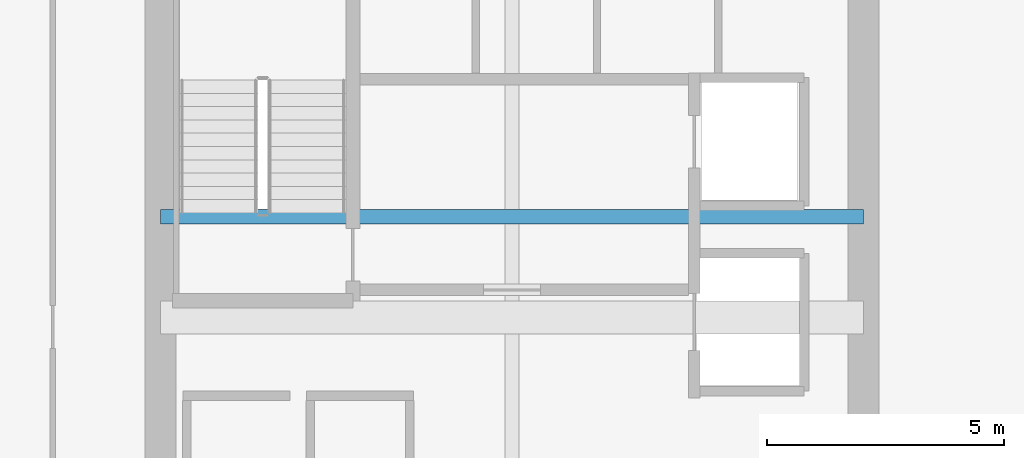
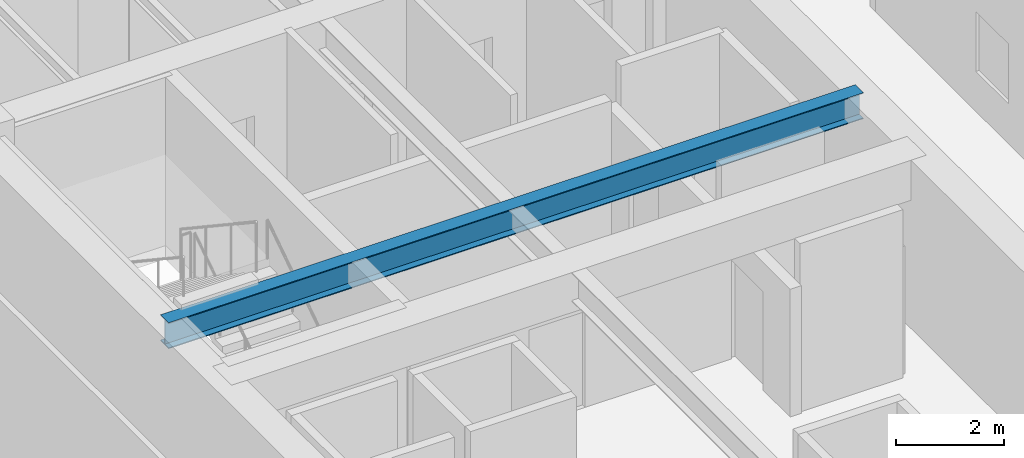
# One storey, part 9 of 30: 1 beam.
"""IFC4 building model written with IfcOpenShell, lengths in metres."""

from ifc_helpers import new_model, si_unit, direction, frame, origin, origin_2d, place, context, subcontext, project, spatial, i_section, extrude, source, transform, mapped, material, material_profile, profile_set, type_object, type_shapes, element, save


model = new_model("IFC4")

# Units and contexts
model_context = context("Model", 3, precision=1e-05, world=origin(), true_north=direction((0.0, 1.0)))
body_context = subcontext(model_context, "Body", "Model", "MODEL_VIEW")
ifc_project = project(units=[si_unit("LENGTHUNIT", "METRE"), si_unit("AREAUNIT", "SQUARE_METRE"), si_unit("VOLUMEUNIT", "CUBIC_METRE"), si_unit("PLANEANGLEUNIT", "RADIAN"), si_unit("MASSUNIT", "GRAM", prefix="KILO")], contexts=[model_context])

# Site, building, storey
site_placement = place(None, origin())
site = spatial("IfcSite", under=ifc_project, at=site_placement, CompositionType="ELEMENT")
building_placement = place(site_placement, origin())
building = spatial("IfcBuilding", under=site, at=building_placement, Name="Haelvirn Gate Laboratories", CompositionType="ELEMENT")
storey_placement = place(building_placement, frame((0.0, 0.0, 121.5)))
storey = spatial("IfcBuildingStorey", under=building, at=storey_placement, Name="L29", CompositionType="ELEMENT", Elevation=121.5)

# Beam
ifc_material = material(Name="Steel SM355", Category="steel")
ifc_material_profile = material_profile(ifc_material, i_section(OverallWidth=0.300048828125, OverallDepth=0.587890625, WebThickness=0.011962890625, FlangeThickness=0.02001953125, at=origin_2d()), Name="H-588x300x12x20")
ifc_profile_set = profile_set([ifc_material_profile], Name="Steel SM355")
beam_type = type_object("IfcBeamType", Name="BM-G-588", PredefinedType="BEAM", material=ifc_profile_set)
shared_shape = source(origin(), body_context, "Body", "SweptSolid", [
    extrude(i_section(OverallWidth=0.300048828125, OverallDepth=0.587890625, WebThickness=0.011962890625, FlangeThickness=0.02001953125, at=origin_2d()), origin(), (0.0, 0.0, 1.0), 14.800048828125),
])
type_shapes(beam_type, [shared_shape])
beam_placement = place(storey_placement, frame((7.39990234375, 26.6201171875, 3.49609375), z_axis=(1.0, 0.0, 0.0), x_axis=(0.0, 1.0, 0.0)))
element("IfcBeam", 1, at=beam_placement, inside=storey, type_object=beam_type, Name="L29 Stair ST1 Landing Header", PredefinedType="BEAM", context=body_context, shape_type="MappedRepresentation", body=[
    mapped(shared_shape, transform((0.0, 0.0, 0.0), scale=1.0)),
])

save(model, "model.ifc")
